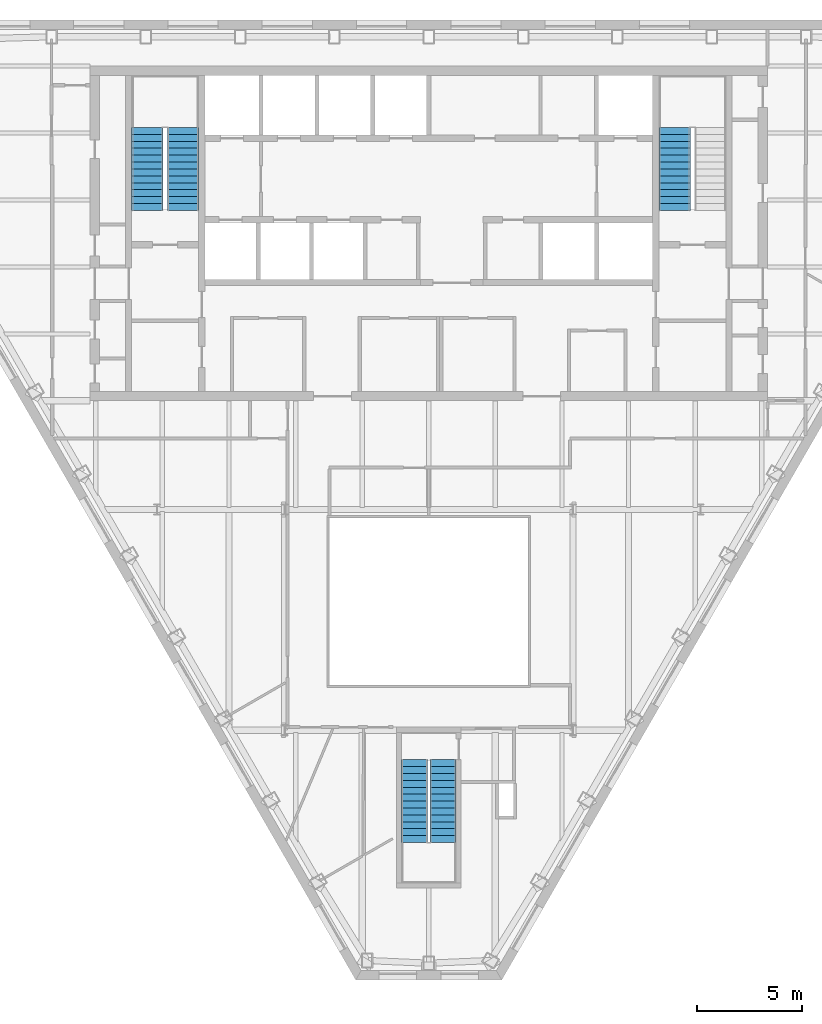
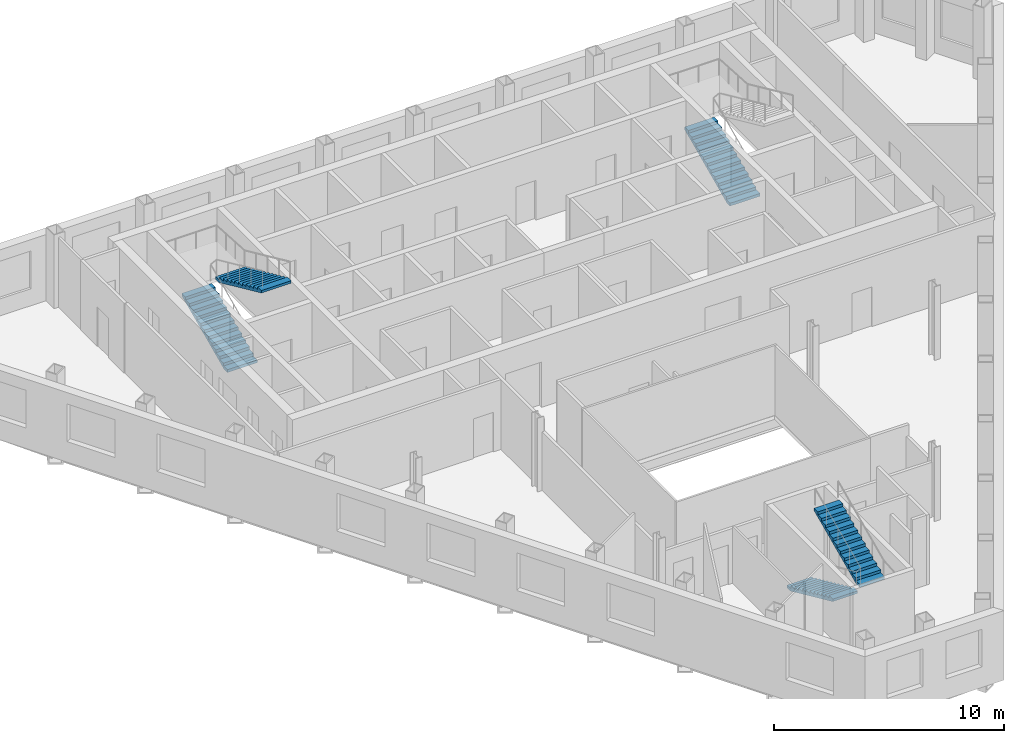
# One storey, part 9 of 11: 5 stair flights, 3 elements without a shape of their own.
"""IFC4 building model written with IfcOpenShell, lengths in metres."""

from ifc_helpers import new_model, si_unit, direction, frame, origin, place, context, subcontext, project, spatial, polygons, material, type_object, element, aggregate, save


model = new_model("IFC4")

# Units and contexts
model_context = context("Model", 3, precision=1e-05, world=origin(), true_north=direction((0.0, 1.0)))
body_context = subcontext(model_context, "Body", "Model", "MODEL_VIEW")
ifc_project = project(units=[si_unit("LENGTHUNIT", "METRE"), si_unit("AREAUNIT", "SQUARE_METRE"), si_unit("VOLUMEUNIT", "CUBIC_METRE"), si_unit("PLANEANGLEUNIT", "RADIAN"), si_unit("MASSUNIT", "GRAM", prefix="KILO")], contexts=[model_context])

# Site, building, storey
site_placement = place(None, origin())
site = spatial("IfcSite", under=ifc_project, at=site_placement, CompositionType="ELEMENT")
building_placement = place(site_placement, origin())
building = spatial("IfcBuilding", under=site, at=building_placement, Name="Njiva Tower", CompositionType="ELEMENT")
storey_placement = place(building_placement, frame((0.0, 0.0, 216.0)))
storey = spatial("IfcBuildingStorey", under=building, at=storey_placement, Name="L48", CompositionType="ELEMENT", Elevation=216.0)

# Stair, stair flights
ifc_material = material(Name="Concrete C40/50", Category="concrete")
stair_type_1 = type_object("IfcStairType", Name="ST1 Exit stair 1250", PredefinedType="HALF_TURN_STAIR", material=ifc_material)
stair_1_placement = place(storey_placement, origin())
stair_1 = element("IfcStair", 1, at=stair_1_placement, inside=storey, type_object=stair_type_1, Name="Stair C", PredefinedType="HALF_TURN_STAIR")
stair_flight_type_1 = type_object("IfcStairFlightType", Name="FL1 Stair flight 1250", PredefinedType="STRAIGHT", material=ifc_material)
stair_flight_1_placement = place(storey_placement, frame((-0.675, -15.16, 0.0), z_axis=(0.0, 0.0, 1.0), x_axis=(0.0, -1.0, 0.0)))
stair_flight_1 = element("IfcStairFlight", 2, at=stair_flight_1_placement, type_object=stair_flight_type_1, Name="ST-C flight 1", NumberOfRisers=13, NumberOfTreads=12, PredefinedType="STRAIGHT", RiserHeight=0.15, TreadLength=0.33, context=body_context, shape_type="Tessellation", body=[
    polygons([(0.0, 0.625, 0.0), (0.0, 0.3125, 0.0), (0.0, 0.0, 0.0), (0.0, -0.3125, 0.0), (0.0, -0.625, 0.0), (0.0, 0.625, 0.15), (0.0, 0.3125, 0.15), (0.0, 0.0, 0.15), (0.0, -0.3125, 0.15), (0.0, -0.625, 0.15), (0.33, 0.625, 0.15), (0.33, 0.3125, 0.15), (0.33, 0.0, 0.15), (0.33, -0.3125, 0.15), (0.33, -0.625, 0.15), (0.33, 0.625, 0.3), (0.33, 0.3125, 0.3), (0.33, 0.0, 0.3), (0.33, -0.3125, 0.3), (0.33, -0.625, 0.3), (0.66, 0.625, 0.3), (0.66, 0.3125, 0.3), (0.66, 0.0, 0.3), (0.66, -0.3125, 0.3), (0.66, -0.625, 0.3), (0.66, 0.625, 0.45), (0.66, 0.3125, 0.45), (0.66, 0.0, 0.45), (0.66, -0.3125, 0.45), (0.66, -0.625, 0.45), (0.99, 0.625, 0.45), (0.99, 0.3125, 0.45), (0.99, 0.0, 0.45), (0.99, -0.3125, 0.45), (0.99, -0.625, 0.45), (0.99, 0.625, 0.6), (0.99, 0.3125, 0.6), (0.99, 0.0, 0.6), (0.99, -0.3125, 0.6), (0.99, -0.625, 0.6), (1.32, 0.625, 0.6), (1.32, 0.3125, 0.6), (1.32, 0.0, 0.6), (1.32, -0.3125, 0.6), (1.32, -0.625, 0.6), (1.32, 0.625, 0.75), (1.32, 0.3125, 0.75), (1.32, 0.0, 0.75), (1.32, -0.3125, 0.75), (1.32, -0.625, 0.75), (1.65, 0.625, 0.75), (1.65, 0.3125, 0.75), (1.65, 0.0, 0.75), (1.65, -0.3125, 0.75), (1.65, -0.625, 0.75), (1.65, 0.625, 0.9), (1.65, 0.3125, 0.9), (1.65, 0.0, 0.9), (1.65, -0.3125, 0.9), (1.65, -0.625, 0.9), (1.98, 0.625, 0.9), (1.98, 0.3125, 0.9), (1.98, 0.0, 0.9), (1.98, -0.3125, 0.9), (1.98, -0.625, 0.9), (1.98, 0.625, 1.05), (1.98, 0.3125, 1.05), (1.98, 0.0, 1.05), (1.98, -0.3125, 1.05), (1.98, -0.625, 1.05), (2.31, 0.625, 1.05), (2.31, 0.3125, 1.05), (2.31, 0.0, 1.05), (2.31, -0.3125, 1.05), (2.31, -0.625, 1.05), (2.31, 0.625, 1.2), (2.31, 0.3125, 1.2), (2.31, 0.0, 1.2), (2.31, -0.3125, 1.2), (2.31, -0.625, 1.2), (2.64, 0.625, 1.2), (2.64, 0.3125, 1.2), (2.64, 0.0, 1.2), (2.64, -0.3125, 1.2), (2.64, -0.625, 1.2), (2.64, 0.625, 1.35), (2.64, 0.3125, 1.35), (2.64, 0.0, 1.35), (2.64, -0.3125, 1.35), (2.64, -0.625, 1.35), (2.97, 0.625, 1.35), (2.97, 0.3125, 1.35), (2.97, 0.0, 1.35), (2.97, -0.3125, 1.35), (2.97, -0.625, 1.35), (2.97, 0.625, 1.5), (2.97, 0.3125, 1.5), (2.97, 0.0, 1.5), (2.97, -0.3125, 1.5), (2.97, -0.625, 1.5), (3.3, 0.625, 1.5), (3.3, 0.3125, 1.5), (3.3, 0.0, 1.5), (3.3, -0.3125, 1.5), (3.3, -0.625, 1.5), (3.3, 0.625, 1.65), (3.3, 0.3125, 1.65), (3.3, 0.0, 1.65), (3.3, -0.3125, 1.65), (3.3, -0.625, 1.65), (3.63, 0.625, 1.65), (3.63, 0.3125, 1.65), (3.63, 0.0, 1.65), (3.63, -0.3125, 1.65), (3.63, -0.625, 1.65), (3.63, 0.625, 1.8), (3.63, 0.3125, 1.8), (3.63, 0.0, 1.8), (3.63, -0.3125, 1.8), (3.63, -0.625, 1.8), (3.96, 0.625, 1.8), (3.96, 0.3125, 1.8), (3.96, 0.0, 1.8), (3.96, -0.3125, 1.8), (3.96, -0.625, 1.8), (3.96, 0.625, 1.6682), (3.96, 0.3125, 1.6682), (3.96, 0.0, 1.6682), (3.96, -0.3125, 1.6682), (3.96, -0.625, 1.6682), (0.29, 0.625, 0.0), (0.29, 0.3125, 0.0), (0.29, 0.0, 0.0), (0.29, -0.3125, 0.0), (0.29, -0.625, 0.0)], [[[1, 6, 11, 16, 21, 26, 31, 36, 41, 46, 51, 56, 61, 66, 71, 76, 81, 86, 91, 96, 101, 106, 111, 116, 121, 126, 131]], [[135, 130, 125, 120, 115, 110, 105, 100, 95, 90, 85, 80, 75, 70, 65, 60, 55, 50, 45, 40, 35, 30, 25, 20, 15, 10, 5]], [[6, 1, 2, 7]], [[7, 2, 3, 8]], [[8, 3, 4, 9]], [[9, 4, 5, 10]], [[11, 6, 7, 12]], [[12, 7, 8, 13]], [[13, 8, 9, 14]], [[14, 9, 10, 15]], [[16, 11, 12, 17]], [[17, 12, 13, 18]], [[18, 13, 14, 19]], [[19, 14, 15, 20]], [[21, 16, 17, 22]], [[22, 17, 18, 23]], [[23, 18, 19, 24]], [[24, 19, 20, 25]], [[26, 21, 22, 27]], [[27, 22, 23, 28]], [[28, 23, 24, 29]], [[29, 24, 25, 30]], [[31, 26, 27, 32]], [[32, 27, 28, 33]], [[33, 28, 29, 34]], [[34, 29, 30, 35]], [[36, 31, 32, 37]], [[37, 32, 33, 38]], [[38, 33, 34, 39]], [[39, 34, 35, 40]], [[41, 36, 37, 42]], [[42, 37, 38, 43]], [[43, 38, 39, 44]], [[44, 39, 40, 45]], [[46, 41, 42, 47]], [[47, 42, 43, 48]], [[48, 43, 44, 49]], [[49, 44, 45, 50]], [[51, 46, 47, 52]], [[52, 47, 48, 53]], [[53, 48, 49, 54]], [[54, 49, 50, 55]], [[56, 51, 52, 57]], [[57, 52, 53, 58]], [[58, 53, 54, 59]], [[59, 54, 55, 60]], [[61, 56, 57, 62]], [[62, 57, 58, 63]], [[63, 58, 59, 64]], [[64, 59, 60, 65]], [[66, 61, 62, 67]], [[67, 62, 63, 68]], [[68, 63, 64, 69]], [[69, 64, 65, 70]], [[71, 66, 67, 72]], [[72, 67, 68, 73]], [[73, 68, 69, 74]], [[74, 69, 70, 75]], [[76, 71, 72, 77]], [[77, 72, 73, 78]], [[78, 73, 74, 79]], [[79, 74, 75, 80]], [[81, 76, 77, 82]], [[82, 77, 78, 83]], [[83, 78, 79, 84]], [[84, 79, 80, 85]], [[86, 81, 82, 87]], [[87, 82, 83, 88]], [[88, 83, 84, 89]], [[89, 84, 85, 90]], [[91, 86, 87, 92]], [[92, 87, 88, 93]], [[93, 88, 89, 94]], [[94, 89, 90, 95]], [[96, 91, 92, 97]], [[97, 92, 93, 98]], [[98, 93, 94, 99]], [[99, 94, 95, 100]], [[101, 96, 97, 102]], [[102, 97, 98, 103]], [[103, 98, 99, 104]], [[104, 99, 100, 105]], [[106, 101, 102, 107]], [[107, 102, 103, 108]], [[108, 103, 104, 109]], [[109, 104, 105, 110]], [[111, 106, 107, 112]], [[112, 107, 108, 113]], [[113, 108, 109, 114]], [[114, 109, 110, 115]], [[116, 111, 112, 117]], [[117, 112, 113, 118]], [[118, 113, 114, 119]], [[119, 114, 115, 120]], [[121, 116, 117, 122]], [[122, 117, 118, 123]], [[123, 118, 119, 124]], [[124, 119, 120, 125]], [[126, 121, 122, 127]], [[127, 122, 123, 128]], [[128, 123, 124, 129]], [[129, 124, 125, 130]], [[131, 126, 127, 132]], [[132, 127, 128, 133]], [[133, 128, 129, 134]], [[134, 129, 130, 135]], [[1, 131, 132, 2]], [[2, 132, 133, 3]], [[3, 133, 134, 4]], [[4, 134, 135, 5]]], closed=True),
])
stair_flight_2_placement = place(storey_placement, frame((0.675, -19.12, 1.95), z_axis=(0.0, 0.0, 1.0), x_axis=(0.0, 1.0, 0.0)))
stair_flight_2 = element("IfcStairFlight", 3, at=stair_flight_2_placement, type_object=stair_flight_type_1, Name="ST-C flight 2", NumberOfRisers=13, NumberOfTreads=12, PredefinedType="STRAIGHT", RiserHeight=0.15, TreadLength=0.33, context=body_context, shape_type="Tessellation", body=[
    polygons([(0.0, 0.625, 0.0), (0.0, 0.3125, 0.0), (0.0, 0.0, 0.0), (0.0, -0.3125, 0.0), (0.0, -0.625, 0.0), (0.0, 0.625, 0.15), (0.0, 0.3125, 0.15), (0.0, 0.0, 0.15), (0.0, -0.3125, 0.15), (0.0, -0.625, 0.15), (0.33, 0.625, 0.15), (0.33, 0.3125, 0.15), (0.33, 0.0, 0.15), (0.33, -0.3125, 0.15), (0.33, -0.625, 0.15), (0.33, 0.625, 0.3), (0.33, 0.3125, 0.3), (0.33, 0.0, 0.3), (0.33, -0.3125, 0.3), (0.33, -0.625, 0.3), (0.66, 0.625, 0.3), (0.66, 0.3125, 0.3), (0.66, 0.0, 0.3), (0.66, -0.3125, 0.3), (0.66, -0.625, 0.3), (0.66, 0.625, 0.45), (0.66, 0.3125, 0.45), (0.66, 0.0, 0.45), (0.66, -0.3125, 0.45), (0.66, -0.625, 0.45), (0.99, 0.625, 0.45), (0.99, 0.3125, 0.45), (0.99, 0.0, 0.45), (0.99, -0.3125, 0.45), (0.99, -0.625, 0.45), (0.99, 0.625, 0.6), (0.99, 0.3125, 0.6), (0.99, 0.0, 0.6), (0.99, -0.3125, 0.6), (0.99, -0.625, 0.6), (1.32, 0.625, 0.6), (1.32, 0.3125, 0.6), (1.32, 0.0, 0.6), (1.32, -0.3125, 0.6), (1.32, -0.625, 0.6), (1.32, 0.625, 0.75), (1.32, 0.3125, 0.75), (1.32, 0.0, 0.75), (1.32, -0.3125, 0.75), (1.32, -0.625, 0.75), (1.65, 0.625, 0.75), (1.65, 0.3125, 0.75), (1.65, 0.0, 0.75), (1.65, -0.3125, 0.75), (1.65, -0.625, 0.75), (1.65, 0.625, 0.9), (1.65, 0.3125, 0.9), (1.65, 0.0, 0.9), (1.65, -0.3125, 0.9), (1.65, -0.625, 0.9), (1.98, 0.625, 0.9), (1.98, 0.3125, 0.9), (1.98, 0.0, 0.9), (1.98, -0.3125, 0.9), (1.98, -0.625, 0.9), (1.98, 0.625, 1.05), (1.98, 0.3125, 1.05), (1.98, 0.0, 1.05), (1.98, -0.3125, 1.05), (1.98, -0.625, 1.05), (2.31, 0.625, 1.05), (2.31, 0.3125, 1.05), (2.31, 0.0, 1.05), (2.31, -0.3125, 1.05), (2.31, -0.625, 1.05), (2.31, 0.625, 1.2), (2.31, 0.3125, 1.2), (2.31, 0.0, 1.2), (2.31, -0.3125, 1.2), (2.31, -0.625, 1.2), (2.64, 0.625, 1.2), (2.64, 0.3125, 1.2), (2.64, 0.0, 1.2), (2.64, -0.3125, 1.2), (2.64, -0.625, 1.2), (2.64, 0.625, 1.35), (2.64, 0.3125, 1.35), (2.64, 0.0, 1.35), (2.64, -0.3125, 1.35), (2.64, -0.625, 1.35), (2.97, 0.625, 1.35), (2.97, 0.3125, 1.35), (2.97, 0.0, 1.35), (2.97, -0.3125, 1.35), (2.97, -0.625, 1.35), (2.97, 0.625, 1.5), (2.97, 0.3125, 1.5), (2.97, 0.0, 1.5), (2.97, -0.3125, 1.5), (2.97, -0.625, 1.5), (3.3, 0.625, 1.5), (3.3, 0.3125, 1.5), (3.3, 0.0, 1.5), (3.3, -0.3125, 1.5), (3.3, -0.625, 1.5), (3.3, 0.625, 1.65), (3.3, 0.3125, 1.65), (3.3, 0.0, 1.65), (3.3, -0.3125, 1.65), (3.3, -0.625, 1.65), (3.63, 0.625, 1.65), (3.63, 0.3125, 1.65), (3.63, 0.0, 1.65), (3.63, -0.3125, 1.65), (3.63, -0.625, 1.65), (3.63, 0.625, 1.8), (3.63, 0.3125, 1.8), (3.63, 0.0, 1.8), (3.63, -0.3125, 1.8), (3.63, -0.625, 1.8), (3.96, 0.625, 1.8), (3.96, 0.3125, 1.8), (3.96, 0.0, 1.8), (3.96, -0.3125, 1.8), (3.96, -0.625, 1.8), (3.96, 0.625, 1.6682), (3.96, 0.3125, 1.6682), (3.96, 0.0, 1.6682), (3.96, -0.3125, 1.6682), (3.96, -0.625, 1.6682), (0.29, 0.625, 0.0), (0.29, 0.3125, 0.0), (0.29, 0.0, 0.0), (0.29, -0.3125, 0.0), (0.29, -0.625, 0.0)], [[[1, 6, 11, 16, 21, 26, 31, 36, 41, 46, 51, 56, 61, 66, 71, 76, 81, 86, 91, 96, 101, 106, 111, 116, 121, 126, 131]], [[135, 130, 125, 120, 115, 110, 105, 100, 95, 90, 85, 80, 75, 70, 65, 60, 55, 50, 45, 40, 35, 30, 25, 20, 15, 10, 5]], [[6, 1, 2, 7]], [[7, 2, 3, 8]], [[8, 3, 4, 9]], [[9, 4, 5, 10]], [[11, 6, 7, 12]], [[12, 7, 8, 13]], [[13, 8, 9, 14]], [[14, 9, 10, 15]], [[16, 11, 12, 17]], [[17, 12, 13, 18]], [[18, 13, 14, 19]], [[19, 14, 15, 20]], [[21, 16, 17, 22]], [[22, 17, 18, 23]], [[23, 18, 19, 24]], [[24, 19, 20, 25]], [[26, 21, 22, 27]], [[27, 22, 23, 28]], [[28, 23, 24, 29]], [[29, 24, 25, 30]], [[31, 26, 27, 32]], [[32, 27, 28, 33]], [[33, 28, 29, 34]], [[34, 29, 30, 35]], [[36, 31, 32, 37]], [[37, 32, 33, 38]], [[38, 33, 34, 39]], [[39, 34, 35, 40]], [[41, 36, 37, 42]], [[42, 37, 38, 43]], [[43, 38, 39, 44]], [[44, 39, 40, 45]], [[46, 41, 42, 47]], [[47, 42, 43, 48]], [[48, 43, 44, 49]], [[49, 44, 45, 50]], [[51, 46, 47, 52]], [[52, 47, 48, 53]], [[53, 48, 49, 54]], [[54, 49, 50, 55]], [[56, 51, 52, 57]], [[57, 52, 53, 58]], [[58, 53, 54, 59]], [[59, 54, 55, 60]], [[61, 56, 57, 62]], [[62, 57, 58, 63]], [[63, 58, 59, 64]], [[64, 59, 60, 65]], [[66, 61, 62, 67]], [[67, 62, 63, 68]], [[68, 63, 64, 69]], [[69, 64, 65, 70]], [[71, 66, 67, 72]], [[72, 67, 68, 73]], [[73, 68, 69, 74]], [[74, 69, 70, 75]], [[76, 71, 72, 77]], [[77, 72, 73, 78]], [[78, 73, 74, 79]], [[79, 74, 75, 80]], [[81, 76, 77, 82]], [[82, 77, 78, 83]], [[83, 78, 79, 84]], [[84, 79, 80, 85]], [[86, 81, 82, 87]], [[87, 82, 83, 88]], [[88, 83, 84, 89]], [[89, 84, 85, 90]], [[91, 86, 87, 92]], [[92, 87, 88, 93]], [[93, 88, 89, 94]], [[94, 89, 90, 95]], [[96, 91, 92, 97]], [[97, 92, 93, 98]], [[98, 93, 94, 99]], [[99, 94, 95, 100]], [[101, 96, 97, 102]], [[102, 97, 98, 103]], [[103, 98, 99, 104]], [[104, 99, 100, 105]], [[106, 101, 102, 107]], [[107, 102, 103, 108]], [[108, 103, 104, 109]], [[109, 104, 105, 110]], [[111, 106, 107, 112]], [[112, 107, 108, 113]], [[113, 108, 109, 114]], [[114, 109, 110, 115]], [[116, 111, 112, 117]], [[117, 112, 113, 118]], [[118, 113, 114, 119]], [[119, 114, 115, 120]], [[121, 116, 117, 122]], [[122, 117, 118, 123]], [[123, 118, 119, 124]], [[124, 119, 120, 125]], [[126, 121, 122, 127]], [[127, 122, 123, 128]], [[128, 123, 124, 129]], [[129, 124, 125, 130]], [[131, 126, 127, 132]], [[132, 127, 128, 133]], [[133, 128, 129, 134]], [[134, 129, 130, 135]], [[1, 131, 132, 2]], [[2, 132, 133, 3]], [[3, 133, 134, 4]], [[4, 134, 135, 5]]], closed=True),
])
aggregate(stair_1, [stair_flight_1, stair_flight_2])

stair_type_2 = type_object("IfcStairType", Name="ST4 Exit stair 1500", PredefinedType="HALF_TURN_STAIR", material=ifc_material)
stair_2_placement = place(storey_placement, origin())
stair_2 = element("IfcStair", 4, at=stair_2_placement, inside=storey, type_object=stair_type_2, Name="Stair A", PredefinedType="HALF_TURN_STAIR")
stair_flight_type_2 = type_object("IfcStairFlightType", Name="FL4 Stair flight 1500", PredefinedType="STRAIGHT", material=ifc_material)
stair_flight_3_placement = place(storey_placement, frame((-13.45, 11.1, 0.0), z_axis=(0.0, 0.0, 1.0), x_axis=(0.0, 1.0, 0.0)))
stair_flight_3 = element("IfcStairFlight", 5, at=stair_flight_3_placement, type_object=stair_flight_type_2, Name="ST-A flight 1", NumberOfRisers=13, NumberOfTreads=12, PredefinedType="STRAIGHT", RiserHeight=0.15, TreadLength=0.33, context=body_context, shape_type="Tessellation", body=[
    polygons([(0.0, 0.75, 0.0), (0.0, 0.375, 0.0), (0.0, 0.0, 0.0), (0.0, -0.375, 0.0), (0.0, -0.75, 0.0), (0.0, 0.75, 0.15), (0.0, 0.375, 0.15), (0.0, 0.0, 0.15), (0.0, -0.375, 0.15), (0.0, -0.75, 0.15), (0.33, 0.75, 0.15), (0.33, 0.375, 0.15), (0.33, 0.0, 0.15), (0.33, -0.375, 0.15), (0.33, -0.75, 0.15), (0.33, 0.75, 0.3), (0.33, 0.375, 0.3), (0.33, 0.0, 0.3), (0.33, -0.375, 0.3), (0.33, -0.75, 0.3), (0.66, 0.75, 0.3), (0.66, 0.375, 0.3), (0.66, 0.0, 0.3), (0.66, -0.375, 0.3), (0.66, -0.75, 0.3), (0.66, 0.75, 0.45), (0.66, 0.375, 0.45), (0.66, 0.0, 0.45), (0.66, -0.375, 0.45), (0.66, -0.75, 0.45), (0.99, 0.75, 0.45), (0.99, 0.375, 0.45), (0.99, 0.0, 0.45), (0.99, -0.375, 0.45), (0.99, -0.75, 0.45), (0.99, 0.75, 0.6), (0.99, 0.375, 0.6), (0.99, 0.0, 0.6), (0.99, -0.375, 0.6), (0.99, -0.75, 0.6), (1.32, 0.75, 0.6), (1.32, 0.375, 0.6), (1.32, 0.0, 0.6), (1.32, -0.375, 0.6), (1.32, -0.75, 0.6), (1.32, 0.75, 0.75), (1.32, 0.375, 0.75), (1.32, 0.0, 0.75), (1.32, -0.375, 0.75), (1.32, -0.75, 0.75), (1.65, 0.75, 0.75), (1.65, 0.375, 0.75), (1.65, 0.0, 0.75), (1.65, -0.375, 0.75), (1.65, -0.75, 0.75), (1.65, 0.75, 0.9), (1.65, 0.375, 0.9), (1.65, 0.0, 0.9), (1.65, -0.375, 0.9), (1.65, -0.75, 0.9), (1.98, 0.75, 0.9), (1.98, 0.375, 0.9), (1.98, 0.0, 0.9), (1.98, -0.375, 0.9), (1.98, -0.75, 0.9), (1.98, 0.75, 1.05), (1.98, 0.375, 1.05), (1.98, 0.0, 1.05), (1.98, -0.375, 1.05), (1.98, -0.75, 1.05), (2.31, 0.75, 1.05), (2.31, 0.375, 1.05), (2.31, 0.0, 1.05), (2.31, -0.375, 1.05), (2.31, -0.75, 1.05), (2.31, 0.75, 1.2), (2.31, 0.375, 1.2), (2.31, 0.0, 1.2), (2.31, -0.375, 1.2), (2.31, -0.75, 1.2), (2.64, 0.75, 1.2), (2.64, 0.375, 1.2), (2.64, 0.0, 1.2), (2.64, -0.375, 1.2), (2.64, -0.75, 1.2), (2.64, 0.75, 1.35), (2.64, 0.375, 1.35), (2.64, 0.0, 1.35), (2.64, -0.375, 1.35), (2.64, -0.75, 1.35), (2.97, 0.75, 1.35), (2.97, 0.375, 1.35), (2.97, 0.0, 1.35), (2.97, -0.375, 1.35), (2.97, -0.75, 1.35), (2.97, 0.75, 1.5), (2.97, 0.375, 1.5), (2.97, 0.0, 1.5), (2.97, -0.375, 1.5), (2.97, -0.75, 1.5), (3.3, 0.75, 1.5), (3.3, 0.375, 1.5), (3.3, 0.0, 1.5), (3.3, -0.375, 1.5), (3.3, -0.75, 1.5), (3.3, 0.75, 1.65), (3.3, 0.375, 1.65), (3.3, 0.0, 1.65), (3.3, -0.375, 1.65), (3.3, -0.75, 1.65), (3.63, 0.75, 1.65), (3.63, 0.375, 1.65), (3.63, 0.0, 1.65), (3.63, -0.375, 1.65), (3.63, -0.75, 1.65), (3.63, 0.75, 1.8), (3.63, 0.375, 1.8), (3.63, 0.0, 1.8), (3.63, -0.375, 1.8), (3.63, -0.75, 1.8), (3.96, 0.75, 1.8), (3.96, 0.375, 1.8), (3.96, 0.0, 1.8), (3.96, -0.375, 1.8), (3.96, -0.75, 1.8), (3.96, 0.75, 1.6682), (3.96, 0.375, 1.6682), (3.96, 0.0, 1.6682), (3.96, -0.375, 1.6682), (3.96, -0.75, 1.6682), (0.29, 0.75, 0.0), (0.29, 0.375, 0.0), (0.29, 0.0, 0.0), (0.29, -0.375, 0.0), (0.29, -0.75, 0.0)], [[[1, 6, 11, 16, 21, 26, 31, 36, 41, 46, 51, 56, 61, 66, 71, 76, 81, 86, 91, 96, 101, 106, 111, 116, 121, 126, 131]], [[135, 130, 125, 120, 115, 110, 105, 100, 95, 90, 85, 80, 75, 70, 65, 60, 55, 50, 45, 40, 35, 30, 25, 20, 15, 10, 5]], [[6, 1, 2, 7]], [[7, 2, 3, 8]], [[8, 3, 4, 9]], [[9, 4, 5, 10]], [[11, 6, 7, 12]], [[12, 7, 8, 13]], [[13, 8, 9, 14]], [[14, 9, 10, 15]], [[16, 11, 12, 17]], [[17, 12, 13, 18]], [[18, 13, 14, 19]], [[19, 14, 15, 20]], [[21, 16, 17, 22]], [[22, 17, 18, 23]], [[23, 18, 19, 24]], [[24, 19, 20, 25]], [[26, 21, 22, 27]], [[27, 22, 23, 28]], [[28, 23, 24, 29]], [[29, 24, 25, 30]], [[31, 26, 27, 32]], [[32, 27, 28, 33]], [[33, 28, 29, 34]], [[34, 29, 30, 35]], [[36, 31, 32, 37]], [[37, 32, 33, 38]], [[38, 33, 34, 39]], [[39, 34, 35, 40]], [[41, 36, 37, 42]], [[42, 37, 38, 43]], [[43, 38, 39, 44]], [[44, 39, 40, 45]], [[46, 41, 42, 47]], [[47, 42, 43, 48]], [[48, 43, 44, 49]], [[49, 44, 45, 50]], [[51, 46, 47, 52]], [[52, 47, 48, 53]], [[53, 48, 49, 54]], [[54, 49, 50, 55]], [[56, 51, 52, 57]], [[57, 52, 53, 58]], [[58, 53, 54, 59]], [[59, 54, 55, 60]], [[61, 56, 57, 62]], [[62, 57, 58, 63]], [[63, 58, 59, 64]], [[64, 59, 60, 65]], [[66, 61, 62, 67]], [[67, 62, 63, 68]], [[68, 63, 64, 69]], [[69, 64, 65, 70]], [[71, 66, 67, 72]], [[72, 67, 68, 73]], [[73, 68, 69, 74]], [[74, 69, 70, 75]], [[76, 71, 72, 77]], [[77, 72, 73, 78]], [[78, 73, 74, 79]], [[79, 74, 75, 80]], [[81, 76, 77, 82]], [[82, 77, 78, 83]], [[83, 78, 79, 84]], [[84, 79, 80, 85]], [[86, 81, 82, 87]], [[87, 82, 83, 88]], [[88, 83, 84, 89]], [[89, 84, 85, 90]], [[91, 86, 87, 92]], [[92, 87, 88, 93]], [[93, 88, 89, 94]], [[94, 89, 90, 95]], [[96, 91, 92, 97]], [[97, 92, 93, 98]], [[98, 93, 94, 99]], [[99, 94, 95, 100]], [[101, 96, 97, 102]], [[102, 97, 98, 103]], [[103, 98, 99, 104]], [[104, 99, 100, 105]], [[106, 101, 102, 107]], [[107, 102, 103, 108]], [[108, 103, 104, 109]], [[109, 104, 105, 110]], [[111, 106, 107, 112]], [[112, 107, 108, 113]], [[113, 108, 109, 114]], [[114, 109, 110, 115]], [[116, 111, 112, 117]], [[117, 112, 113, 118]], [[118, 113, 114, 119]], [[119, 114, 115, 120]], [[121, 116, 117, 122]], [[122, 117, 118, 123]], [[123, 118, 119, 124]], [[124, 119, 120, 125]], [[126, 121, 122, 127]], [[127, 122, 123, 128]], [[128, 123, 124, 129]], [[129, 124, 125, 130]], [[131, 126, 127, 132]], [[132, 127, 128, 133]], [[133, 128, 129, 134]], [[134, 129, 130, 135]], [[1, 131, 132, 2]], [[2, 132, 133, 3]], [[3, 133, 134, 4]], [[4, 134, 135, 5]]], closed=True),
])
stair_flight_4_placement = place(storey_placement, frame((-11.75, 15.06, 1.95), z_axis=(0.0, 0.0, 1.0), x_axis=(0.0, -1.0, 0.0)))
stair_flight_4 = element("IfcStairFlight", 6, at=stair_flight_4_placement, type_object=stair_flight_type_2, Name="ST-A flight 2", NumberOfRisers=13, NumberOfTreads=12, PredefinedType="STRAIGHT", RiserHeight=0.15, TreadLength=0.33, context=body_context, shape_type="Tessellation", body=[
    polygons([(0.0, 0.75, 0.0), (0.0, 0.375, 0.0), (0.0, 0.0, 0.0), (0.0, -0.375, 0.0), (0.0, -0.75, 0.0), (0.0, 0.75, 0.15), (0.0, 0.375, 0.15), (0.0, 0.0, 0.15), (0.0, -0.375, 0.15), (0.0, -0.75, 0.15), (0.33, 0.75, 0.15), (0.33, 0.375, 0.15), (0.33, 0.0, 0.15), (0.33, -0.375, 0.15), (0.33, -0.75, 0.15), (0.33, 0.75, 0.3), (0.33, 0.375, 0.3), (0.33, 0.0, 0.3), (0.33, -0.375, 0.3), (0.33, -0.75, 0.3), (0.66, 0.75, 0.3), (0.66, 0.375, 0.3), (0.66, 0.0, 0.3), (0.66, -0.375, 0.3), (0.66, -0.75, 0.3), (0.66, 0.75, 0.45), (0.66, 0.375, 0.45), (0.66, 0.0, 0.45), (0.66, -0.375, 0.45), (0.66, -0.75, 0.45), (0.99, 0.75, 0.45), (0.99, 0.375, 0.45), (0.99, 0.0, 0.45), (0.99, -0.375, 0.45), (0.99, -0.75, 0.45), (0.99, 0.75, 0.6), (0.99, 0.375, 0.6), (0.99, 0.0, 0.6), (0.99, -0.375, 0.6), (0.99, -0.75, 0.6), (1.32, 0.75, 0.6), (1.32, 0.375, 0.6), (1.32, 0.0, 0.6), (1.32, -0.375, 0.6), (1.32, -0.75, 0.6), (1.32, 0.75, 0.75), (1.32, 0.375, 0.75), (1.32, 0.0, 0.75), (1.32, -0.375, 0.75), (1.32, -0.75, 0.75), (1.65, 0.75, 0.75), (1.65, 0.375, 0.75), (1.65, 0.0, 0.75), (1.65, -0.375, 0.75), (1.65, -0.75, 0.75), (1.65, 0.75, 0.9), (1.65, 0.375, 0.9), (1.65, 0.0, 0.9), (1.65, -0.375, 0.9), (1.65, -0.75, 0.9), (1.98, 0.75, 0.9), (1.98, 0.375, 0.9), (1.98, 0.0, 0.9), (1.98, -0.375, 0.9), (1.98, -0.75, 0.9), (1.98, 0.75, 1.05), (1.98, 0.375, 1.05), (1.98, 0.0, 1.05), (1.98, -0.375, 1.05), (1.98, -0.75, 1.05), (2.31, 0.75, 1.05), (2.31, 0.375, 1.05), (2.31, 0.0, 1.05), (2.31, -0.375, 1.05), (2.31, -0.75, 1.05), (2.31, 0.75, 1.2), (2.31, 0.375, 1.2), (2.31, 0.0, 1.2), (2.31, -0.375, 1.2), (2.31, -0.75, 1.2), (2.64, 0.75, 1.2), (2.64, 0.375, 1.2), (2.64, 0.0, 1.2), (2.64, -0.375, 1.2), (2.64, -0.75, 1.2), (2.64, 0.75, 1.35), (2.64, 0.375, 1.35), (2.64, 0.0, 1.35), (2.64, -0.375, 1.35), (2.64, -0.75, 1.35), (2.97, 0.75, 1.35), (2.97, 0.375, 1.35), (2.97, 0.0, 1.35), (2.97, -0.375, 1.35), (2.97, -0.75, 1.35), (2.97, 0.75, 1.5), (2.97, 0.375, 1.5), (2.97, 0.0, 1.5), (2.97, -0.375, 1.5), (2.97, -0.75, 1.5), (3.3, 0.75, 1.5), (3.3, 0.375, 1.5), (3.3, 0.0, 1.5), (3.3, -0.375, 1.5), (3.3, -0.75, 1.5), (3.3, 0.75, 1.65), (3.3, 0.375, 1.65), (3.3, 0.0, 1.65), (3.3, -0.375, 1.65), (3.3, -0.75, 1.65), (3.63, 0.75, 1.65), (3.63, 0.375, 1.65), (3.63, 0.0, 1.65), (3.63, -0.375, 1.65), (3.63, -0.75, 1.65), (3.63, 0.75, 1.8), (3.63, 0.375, 1.8), (3.63, 0.0, 1.8), (3.63, -0.375, 1.8), (3.63, -0.75, 1.8), (3.96, 0.75, 1.8), (3.96, 0.375, 1.8), (3.96, 0.0, 1.8), (3.96, -0.375, 1.8), (3.96, -0.75, 1.8), (3.96, 0.75, 1.6682), (3.96, 0.375, 1.6682), (3.96, 0.0, 1.6682), (3.96, -0.375, 1.6682), (3.96, -0.75, 1.6682), (0.29, 0.75, 0.0), (0.29, 0.375, 0.0), (0.29, 0.0, 0.0), (0.29, -0.375, 0.0), (0.29, -0.75, 0.0)], [[[1, 6, 11, 16, 21, 26, 31, 36, 41, 46, 51, 56, 61, 66, 71, 76, 81, 86, 91, 96, 101, 106, 111, 116, 121, 126, 131]], [[135, 130, 125, 120, 115, 110, 105, 100, 95, 90, 85, 80, 75, 70, 65, 60, 55, 50, 45, 40, 35, 30, 25, 20, 15, 10, 5]], [[6, 1, 2, 7]], [[7, 2, 3, 8]], [[8, 3, 4, 9]], [[9, 4, 5, 10]], [[11, 6, 7, 12]], [[12, 7, 8, 13]], [[13, 8, 9, 14]], [[14, 9, 10, 15]], [[16, 11, 12, 17]], [[17, 12, 13, 18]], [[18, 13, 14, 19]], [[19, 14, 15, 20]], [[21, 16, 17, 22]], [[22, 17, 18, 23]], [[23, 18, 19, 24]], [[24, 19, 20, 25]], [[26, 21, 22, 27]], [[27, 22, 23, 28]], [[28, 23, 24, 29]], [[29, 24, 25, 30]], [[31, 26, 27, 32]], [[32, 27, 28, 33]], [[33, 28, 29, 34]], [[34, 29, 30, 35]], [[36, 31, 32, 37]], [[37, 32, 33, 38]], [[38, 33, 34, 39]], [[39, 34, 35, 40]], [[41, 36, 37, 42]], [[42, 37, 38, 43]], [[43, 38, 39, 44]], [[44, 39, 40, 45]], [[46, 41, 42, 47]], [[47, 42, 43, 48]], [[48, 43, 44, 49]], [[49, 44, 45, 50]], [[51, 46, 47, 52]], [[52, 47, 48, 53]], [[53, 48, 49, 54]], [[54, 49, 50, 55]], [[56, 51, 52, 57]], [[57, 52, 53, 58]], [[58, 53, 54, 59]], [[59, 54, 55, 60]], [[61, 56, 57, 62]], [[62, 57, 58, 63]], [[63, 58, 59, 64]], [[64, 59, 60, 65]], [[66, 61, 62, 67]], [[67, 62, 63, 68]], [[68, 63, 64, 69]], [[69, 64, 65, 70]], [[71, 66, 67, 72]], [[72, 67, 68, 73]], [[73, 68, 69, 74]], [[74, 69, 70, 75]], [[76, 71, 72, 77]], [[77, 72, 73, 78]], [[78, 73, 74, 79]], [[79, 74, 75, 80]], [[81, 76, 77, 82]], [[82, 77, 78, 83]], [[83, 78, 79, 84]], [[84, 79, 80, 85]], [[86, 81, 82, 87]], [[87, 82, 83, 88]], [[88, 83, 84, 89]], [[89, 84, 85, 90]], [[91, 86, 87, 92]], [[92, 87, 88, 93]], [[93, 88, 89, 94]], [[94, 89, 90, 95]], [[96, 91, 92, 97]], [[97, 92, 93, 98]], [[98, 93, 94, 99]], [[99, 94, 95, 100]], [[101, 96, 97, 102]], [[102, 97, 98, 103]], [[103, 98, 99, 104]], [[104, 99, 100, 105]], [[106, 101, 102, 107]], [[107, 102, 103, 108]], [[108, 103, 104, 109]], [[109, 104, 105, 110]], [[111, 106, 107, 112]], [[112, 107, 108, 113]], [[113, 108, 109, 114]], [[114, 109, 110, 115]], [[116, 111, 112, 117]], [[117, 112, 113, 118]], [[118, 113, 114, 119]], [[119, 114, 115, 120]], [[121, 116, 117, 122]], [[122, 117, 118, 123]], [[123, 118, 119, 124]], [[124, 119, 120, 125]], [[126, 121, 122, 127]], [[127, 122, 123, 128]], [[128, 123, 124, 129]], [[129, 124, 125, 130]], [[131, 126, 127, 132]], [[132, 127, 128, 133]], [[133, 128, 129, 134]], [[134, 129, 130, 135]], [[1, 131, 132, 2]], [[2, 132, 133, 3]], [[3, 133, 134, 4]], [[4, 134, 135, 5]]], closed=True),
])
aggregate(stair_2, [stair_flight_3, stair_flight_4])

# Stair, stair flight
stair_3_placement = place(storey_placement, origin())
stair_3 = element("IfcStair", 7, at=stair_3_placement, inside=storey, type_object=stair_type_2, Name="Stair B", PredefinedType="HALF_TURN_STAIR")
stair_flight_5_placement = place(storey_placement, frame((11.75, 11.1, 0.0), z_axis=(0.0, 0.0, 1.0), x_axis=(0.0, 1.0, 0.0)))
stair_flight_5 = element("IfcStairFlight", 8, at=stair_flight_5_placement, type_object=stair_flight_type_2, Name="ST-B flight 1", NumberOfRisers=13, NumberOfTreads=12, PredefinedType="STRAIGHT", RiserHeight=0.15, TreadLength=0.33, context=body_context, shape_type="Tessellation", body=[
    polygons([(0.0, 0.75, 0.0), (0.0, 0.375, 0.0), (0.0, 0.0, 0.0), (0.0, -0.375, 0.0), (0.0, -0.75, 0.0), (0.0, 0.75, 0.15), (0.0, 0.375, 0.15), (0.0, 0.0, 0.15), (0.0, -0.375, 0.15), (0.0, -0.75, 0.15), (0.33, 0.75, 0.15), (0.33, 0.375, 0.15), (0.33, 0.0, 0.15), (0.33, -0.375, 0.15), (0.33, -0.75, 0.15), (0.33, 0.75, 0.3), (0.33, 0.375, 0.3), (0.33, 0.0, 0.3), (0.33, -0.375, 0.3), (0.33, -0.75, 0.3), (0.66, 0.75, 0.3), (0.66, 0.375, 0.3), (0.66, 0.0, 0.3), (0.66, -0.375, 0.3), (0.66, -0.75, 0.3), (0.66, 0.75, 0.45), (0.66, 0.375, 0.45), (0.66, 0.0, 0.45), (0.66, -0.375, 0.45), (0.66, -0.75, 0.45), (0.99, 0.75, 0.45), (0.99, 0.375, 0.45), (0.99, 0.0, 0.45), (0.99, -0.375, 0.45), (0.99, -0.75, 0.45), (0.99, 0.75, 0.6), (0.99, 0.375, 0.6), (0.99, 0.0, 0.6), (0.99, -0.375, 0.6), (0.99, -0.75, 0.6), (1.32, 0.75, 0.6), (1.32, 0.375, 0.6), (1.32, 0.0, 0.6), (1.32, -0.375, 0.6), (1.32, -0.75, 0.6), (1.32, 0.75, 0.75), (1.32, 0.375, 0.75), (1.32, 0.0, 0.75), (1.32, -0.375, 0.75), (1.32, -0.75, 0.75), (1.65, 0.75, 0.75), (1.65, 0.375, 0.75), (1.65, 0.0, 0.75), (1.65, -0.375, 0.75), (1.65, -0.75, 0.75), (1.65, 0.75, 0.9), (1.65, 0.375, 0.9), (1.65, 0.0, 0.9), (1.65, -0.375, 0.9), (1.65, -0.75, 0.9), (1.98, 0.75, 0.9), (1.98, 0.375, 0.9), (1.98, 0.0, 0.9), (1.98, -0.375, 0.9), (1.98, -0.75, 0.9), (1.98, 0.75, 1.05), (1.98, 0.375, 1.05), (1.98, 0.0, 1.05), (1.98, -0.375, 1.05), (1.98, -0.75, 1.05), (2.31, 0.75, 1.05), (2.31, 0.375, 1.05), (2.31, 0.0, 1.05), (2.31, -0.375, 1.05), (2.31, -0.75, 1.05), (2.31, 0.75, 1.2), (2.31, 0.375, 1.2), (2.31, 0.0, 1.2), (2.31, -0.375, 1.2), (2.31, -0.75, 1.2), (2.64, 0.75, 1.2), (2.64, 0.375, 1.2), (2.64, 0.0, 1.2), (2.64, -0.375, 1.2), (2.64, -0.75, 1.2), (2.64, 0.75, 1.35), (2.64, 0.375, 1.35), (2.64, 0.0, 1.35), (2.64, -0.375, 1.35), (2.64, -0.75, 1.35), (2.97, 0.75, 1.35), (2.97, 0.375, 1.35), (2.97, 0.0, 1.35), (2.97, -0.375, 1.35), (2.97, -0.75, 1.35), (2.97, 0.75, 1.5), (2.97, 0.375, 1.5), (2.97, 0.0, 1.5), (2.97, -0.375, 1.5), (2.97, -0.75, 1.5), (3.3, 0.75, 1.5), (3.3, 0.375, 1.5), (3.3, 0.0, 1.5), (3.3, -0.375, 1.5), (3.3, -0.75, 1.5), (3.3, 0.75, 1.65), (3.3, 0.375, 1.65), (3.3, 0.0, 1.65), (3.3, -0.375, 1.65), (3.3, -0.75, 1.65), (3.63, 0.75, 1.65), (3.63, 0.375, 1.65), (3.63, 0.0, 1.65), (3.63, -0.375, 1.65), (3.63, -0.75, 1.65), (3.63, 0.75, 1.8), (3.63, 0.375, 1.8), (3.63, 0.0, 1.8), (3.63, -0.375, 1.8), (3.63, -0.75, 1.8), (3.96, 0.75, 1.8), (3.96, 0.375, 1.8), (3.96, 0.0, 1.8), (3.96, -0.375, 1.8), (3.96, -0.75, 1.8), (3.96, 0.75, 1.6682), (3.96, 0.375, 1.6682), (3.96, 0.0, 1.6682), (3.96, -0.375, 1.6682), (3.96, -0.75, 1.6682), (0.29, 0.75, 0.0), (0.29, 0.375, 0.0), (0.29, 0.0, 0.0), (0.29, -0.375, 0.0), (0.29, -0.75, 0.0)], [[[1, 6, 11, 16, 21, 26, 31, 36, 41, 46, 51, 56, 61, 66, 71, 76, 81, 86, 91, 96, 101, 106, 111, 116, 121, 126, 131]], [[135, 130, 125, 120, 115, 110, 105, 100, 95, 90, 85, 80, 75, 70, 65, 60, 55, 50, 45, 40, 35, 30, 25, 20, 15, 10, 5]], [[6, 1, 2, 7]], [[7, 2, 3, 8]], [[8, 3, 4, 9]], [[9, 4, 5, 10]], [[11, 6, 7, 12]], [[12, 7, 8, 13]], [[13, 8, 9, 14]], [[14, 9, 10, 15]], [[16, 11, 12, 17]], [[17, 12, 13, 18]], [[18, 13, 14, 19]], [[19, 14, 15, 20]], [[21, 16, 17, 22]], [[22, 17, 18, 23]], [[23, 18, 19, 24]], [[24, 19, 20, 25]], [[26, 21, 22, 27]], [[27, 22, 23, 28]], [[28, 23, 24, 29]], [[29, 24, 25, 30]], [[31, 26, 27, 32]], [[32, 27, 28, 33]], [[33, 28, 29, 34]], [[34, 29, 30, 35]], [[36, 31, 32, 37]], [[37, 32, 33, 38]], [[38, 33, 34, 39]], [[39, 34, 35, 40]], [[41, 36, 37, 42]], [[42, 37, 38, 43]], [[43, 38, 39, 44]], [[44, 39, 40, 45]], [[46, 41, 42, 47]], [[47, 42, 43, 48]], [[48, 43, 44, 49]], [[49, 44, 45, 50]], [[51, 46, 47, 52]], [[52, 47, 48, 53]], [[53, 48, 49, 54]], [[54, 49, 50, 55]], [[56, 51, 52, 57]], [[57, 52, 53, 58]], [[58, 53, 54, 59]], [[59, 54, 55, 60]], [[61, 56, 57, 62]], [[62, 57, 58, 63]], [[63, 58, 59, 64]], [[64, 59, 60, 65]], [[66, 61, 62, 67]], [[67, 62, 63, 68]], [[68, 63, 64, 69]], [[69, 64, 65, 70]], [[71, 66, 67, 72]], [[72, 67, 68, 73]], [[73, 68, 69, 74]], [[74, 69, 70, 75]], [[76, 71, 72, 77]], [[77, 72, 73, 78]], [[78, 73, 74, 79]], [[79, 74, 75, 80]], [[81, 76, 77, 82]], [[82, 77, 78, 83]], [[83, 78, 79, 84]], [[84, 79, 80, 85]], [[86, 81, 82, 87]], [[87, 82, 83, 88]], [[88, 83, 84, 89]], [[89, 84, 85, 90]], [[91, 86, 87, 92]], [[92, 87, 88, 93]], [[93, 88, 89, 94]], [[94, 89, 90, 95]], [[96, 91, 92, 97]], [[97, 92, 93, 98]], [[98, 93, 94, 99]], [[99, 94, 95, 100]], [[101, 96, 97, 102]], [[102, 97, 98, 103]], [[103, 98, 99, 104]], [[104, 99, 100, 105]], [[106, 101, 102, 107]], [[107, 102, 103, 108]], [[108, 103, 104, 109]], [[109, 104, 105, 110]], [[111, 106, 107, 112]], [[112, 107, 108, 113]], [[113, 108, 109, 114]], [[114, 109, 110, 115]], [[116, 111, 112, 117]], [[117, 112, 113, 118]], [[118, 113, 114, 119]], [[119, 114, 115, 120]], [[121, 116, 117, 122]], [[122, 117, 118, 123]], [[123, 118, 119, 124]], [[124, 119, 120, 125]], [[126, 121, 122, 127]], [[127, 122, 123, 128]], [[128, 123, 124, 129]], [[129, 124, 125, 130]], [[131, 126, 127, 132]], [[132, 127, 128, 133]], [[133, 128, 129, 134]], [[134, 129, 130, 135]], [[1, 131, 132, 2]], [[2, 132, 133, 3]], [[3, 133, 134, 4]], [[4, 134, 135, 5]]], closed=True),
])
aggregate(stair_3, [stair_flight_5])

save(model, "model.ifc")
